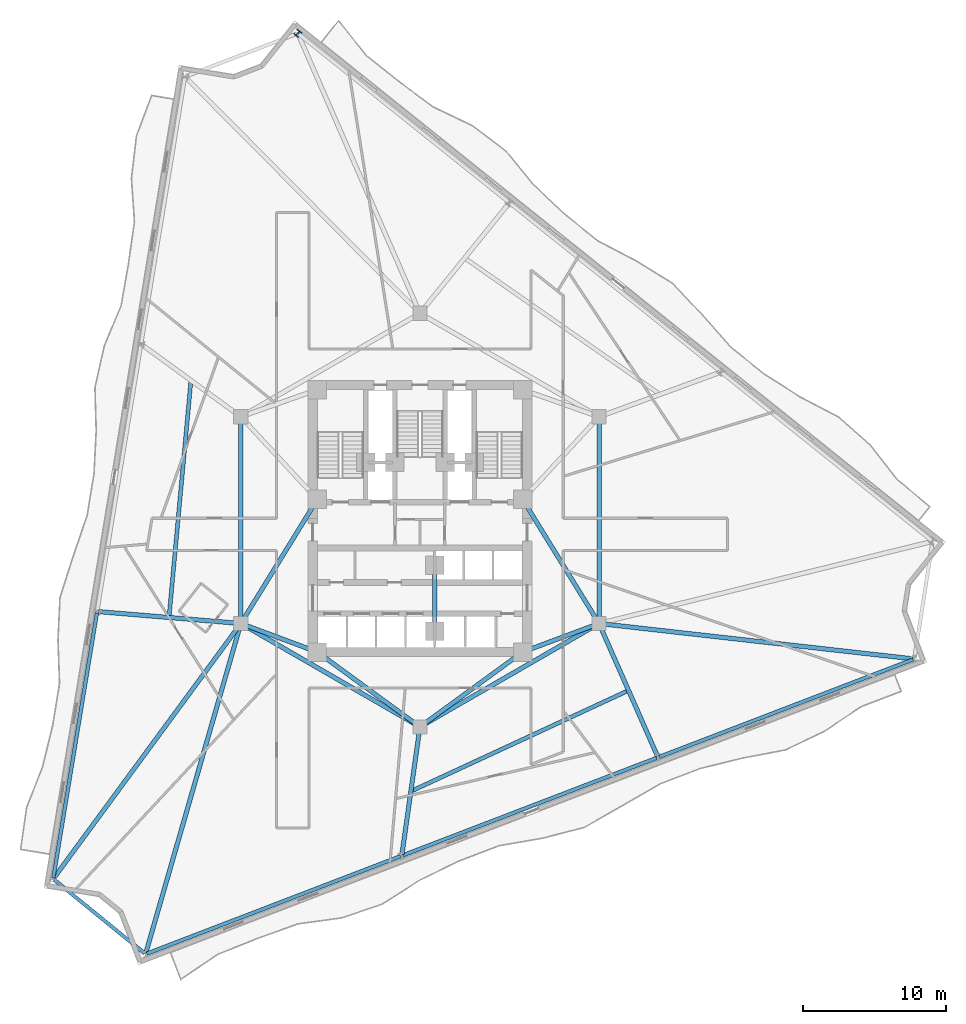
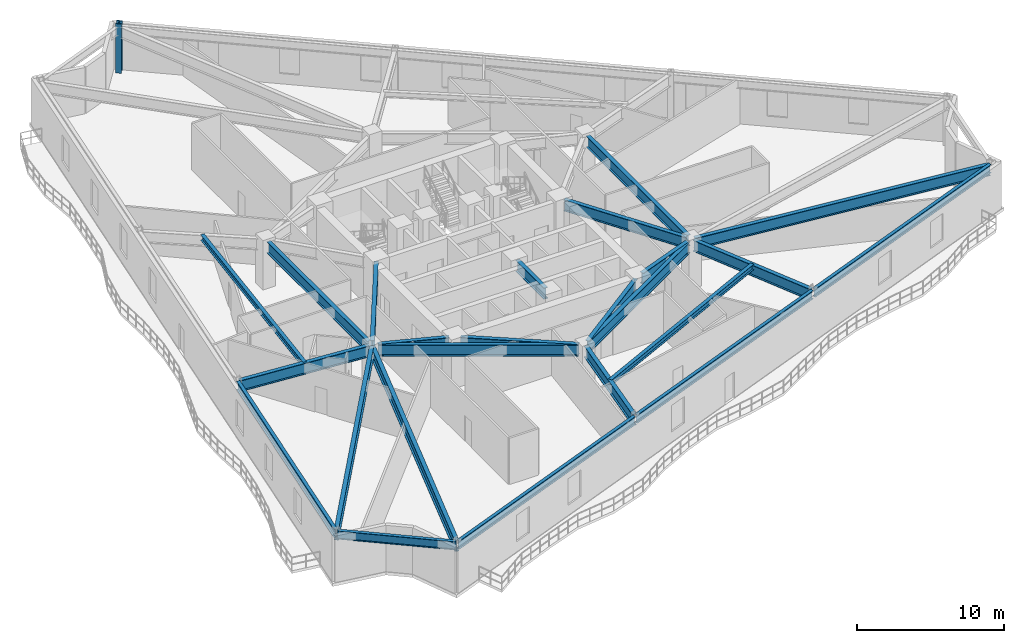
# One storey, part 2 of 11: 24 beams, 1 column.
"""IFC4 building model written with IfcOpenShell, lengths in metres."""

from ifc_helpers import new_model, si_unit, direction, frame, origin, origin_2d, place, context, subcontext, project, spatial, i_section, extrude, material, material_profile, profile_set, type_object, element, save


model = new_model("IFC4")

# Units and contexts
model_context = context("Model", 3, precision=1e-05, world=origin(), true_north=direction((0.0, 1.0)))
body_context = subcontext(model_context, "Body", "Model", "MODEL_VIEW")
ifc_project = project(units=[si_unit("LENGTHUNIT", "METRE"), si_unit("AREAUNIT", "SQUARE_METRE"), si_unit("VOLUMEUNIT", "CUBIC_METRE"), si_unit("PLANEANGLEUNIT", "RADIAN"), si_unit("MASSUNIT", "GRAM", prefix="KILO")], contexts=[model_context])

# Site, building, storey
site_placement = place(None, origin())
site = spatial("IfcSite", under=ifc_project, at=site_placement, CompositionType="ELEMENT")
building_placement = place(site_placement, origin())
building = spatial("IfcBuilding", under=site, at=building_placement, Name="Apsidion Concourse Tower", CompositionType="ELEMENT")
storey_placement = place(building_placement, frame((0.0, 0.0, 140.39990234375)))
storey = spatial("IfcBuildingStorey", under=building, at=storey_placement, Name="L32", CompositionType="ELEMENT", Elevation=140.39990234375)

# Column
ifc_material = material(Name="Structural steel ASTM A992 Grade 50", Category="steel")
ifc_material_profile_1 = material_profile(ifc_material, i_section(OverallWidth=0.410888671875, OverallDepth=0.43408203125, WebThickness=0.035888671875, FlangeThickness=0.057373046875, at=origin_2d()), Name="W14X311")
ifc_profile_set_1 = profile_set([ifc_material_profile_1], Name="Structural steel ASTM A992 Grade 50")
column_type = type_object("IfcColumnType", Name="COL-W14-311", PredefinedType="COLUMN", material=ifc_profile_set_1)
column_placement = place(storey_placement, frame((-8.565185546875, 34.1376953125, 0.0), z_axis=(0.0, 0.0, 1.0), x_axis=(-0.780757676633, 0.624833938242, 0.0)))
element("IfcColumn", 1, at=column_placement, inside=storey, type_object=column_type, Name="L32 Rotated Perimeter Column PC12", PredefinedType="COLUMN", context=body_context, shape_type="SweptSolid", body=[
    extrude(i_section(OverallWidth=0.410888671875, OverallDepth=0.43408203125, WebThickness=0.035888671875, FlangeThickness=0.057373046875, at=origin_2d()), origin(), (0.0, 0.0, 1.0), 4.10009765625),
])

# Beams
ifc_material_profile_2 = material_profile(ifc_material, i_section(OverallWidth=0.280029296875, OverallDepth=0.462890625, WebThickness=0.0107421875, FlangeThickness=0.017333984375, at=origin_2d()), Name="W18X76")
ifc_profile_set_2 = profile_set([ifc_material_profile_2], Name="Structural steel ASTM A992 Grade 50")
beam_type_1 = type_object("IfcBeamType", Name="BM-FL-W18M", PredefinedType="BEAM", material=ifc_profile_set_2)
beam_1_placement = place(storey_placement, frame((-16.05908203125, 9.798095703125, 3.61865234375), z_axis=(-0.092270423312, -0.995733985049, 0.0), x_axis=(0.995733985049, -0.092270423312, 0.0)))
element("IfcBeam", 2, at=beam_1_placement, inside=storey, type_object=beam_type_1, Name="L32 Secondary Floor Beam SEC-F1", PredefinedType="BEAM", context=body_context, shape_type="SweptSolid", body=[
    extrude(i_section(OverallWidth=0.280029296875, OverallDepth=0.462890625, WebThickness=0.0107421875, FlangeThickness=0.017333984375, at=origin_2d()), origin(), (0.0, 0.0, 1.0), 16.698486328125),
])
beam_2_placement = place(storey_placement, frame((-0.6376953125, -19.018310546875, 3.61865234375), z_axis=(0.907312361657, 0.420457225392, 0.0), x_axis=(-0.420457225392, 0.907312361657, 0.0)))
element("IfcBeam", 3, at=beam_2_placement, inside=storey, type_object=beam_type_1, Name="L32 Secondary Floor Beam SEC-F2", PredefinedType="BEAM", context=body_context, shape_type="SweptSolid", body=[
    extrude(i_section(OverallWidth=0.280029296875, OverallDepth=0.462890625, WebThickness=0.0107421875, FlangeThickness=0.017333984375, at=origin_2d()), origin(), (0.0, 0.0, 1.0), 16.82568359375),
])
ifc_material_profile_3 = material_profile(ifc_material, i_section(OverallWidth=0.31005859375, OverallDepth=0.931884765625, WebThickness=0.02099609375, FlangeThickness=0.034423828125, at=origin_2d()), Name="W36X210")
ifc_profile_set_3 = profile_set([ifc_material_profile_3], Name="Structural steel ASTM A992 Grade 50")
beam_type_2 = type_object("IfcBeamType", Name="BM-G-W36", PredefinedType="USERDEFINED", material=ifc_profile_set_3)
beam_3_placement = place(storey_placement, frame((-12.185302734375, -7.389892578125, 3.384033203125), z_axis=(0.936913021145, -0.349562570664, 0.0), x_axis=(0.349562570664, 0.936913021145, 0.0)))
element("IfcBeam", 4, at=beam_3_placement, inside=storey, type_object=beam_type_2, Name="L32 Core Coupling Girder IC1-SC1", ObjectType="GIRDER", PredefinedType="USERDEFINED", context=body_context, shape_type="SweptSolid", body=[
    extrude(i_section(OverallWidth=0.31005859375, OverallDepth=0.931884765625, WebThickness=0.02099609375, FlangeThickness=0.034423828125, at=origin_2d()), origin(), (0.0, 0.0, 1.0), 4.921142578125),
])
beam_4_placement = place(storey_placement, frame((-12.35009765625, -6.909423828125, 3.384033203125), z_axis=(0.524524009763, 0.851395656074, 0.0), x_axis=(-0.851395656074, 0.524524009763, 0.0)))
element("IfcBeam", 5, at=beam_4_placement, inside=storey, type_object=beam_type_2, Name="L32 Core Coupling Girder IC1-SC6", ObjectType="GIRDER", PredefinedType="USERDEFINED", context=body_context, shape_type="SweptSolid", body=[
    extrude(i_section(OverallWidth=0.31005859375, OverallDepth=0.931884765625, WebThickness=0.02099609375, FlangeThickness=0.034423828125, at=origin_2d()), origin(), (0.0, 0.0, 1.0), 9.41845703125),
])
beam_5_placement = place(storey_placement, frame((12.185302734375, -7.389892578125, 3.384033203125), z_axis=(-0.936913021145, -0.349562570664, 0.0), x_axis=(0.349562570664, -0.936913021145, 0.0)))
element("IfcBeam", 6, at=beam_5_placement, inside=storey, type_object=beam_type_2, Name="L32 Core Coupling Girder IC2-SC2", ObjectType="GIRDER", PredefinedType="USERDEFINED", context=body_context, shape_type="SweptSolid", body=[
    extrude(i_section(OverallWidth=0.31005859375, OverallDepth=0.931884765625, WebThickness=0.02099609375, FlangeThickness=0.034423828125, at=origin_2d()), origin(), (0.0, 0.0, 1.0), 4.921142578125),
])
beam_6_placement = place(storey_placement, frame((12.35009765625, -6.909423828125, 3.384033203125), z_axis=(-0.524524009763, 0.851395656074, 0.0), x_axis=(-0.851395656074, -0.524524009763, 0.0)))
element("IfcBeam", 7, at=beam_6_placement, inside=storey, type_object=beam_type_2, Name="L32 Core Coupling Girder IC2-SC3", ObjectType="GIRDER", PredefinedType="USERDEFINED", context=body_context, shape_type="SweptSolid", body=[
    extrude(i_section(OverallWidth=0.31005859375, OverallDepth=0.931884765625, WebThickness=0.02099609375, FlangeThickness=0.034423828125, at=origin_2d()), origin(), (0.0, 0.0, 1.0), 9.41845703125),
])
for number, where, z_axis, x_axis, name in (
    (8, (-0.3232421875, -14.264404296875, 3.384033203125), (-0.807993498909, 0.589191399905, 0.0), (-0.589191399905, -0.807993498909, 0.0), "L32 Core Coupling Girder IC6-SC1"),
    (9, (0.3232421875, -14.264404296875, 3.384033203125), (0.807993498909, 0.589191399905, 0.0), (-0.589191399905, 0.807993498909, 0.0), "L32 Core Coupling Girder IC6-SC2"),
):
    element("IfcBeam", number, at=place(storey_placement, frame(where, z_axis=z_axis, x_axis=x_axis)), inside=storey, type_object=beam_type_2, Name=name, ObjectType="GIRDER", PredefinedType="USERDEFINED", context=body_context, shape_type="SweptSolid", body=[
        extrude(i_section(OverallWidth=0.31005859375, OverallDepth=0.931884765625, WebThickness=0.02099609375, FlangeThickness=0.034423828125, at=origin_2d()), origin(), (0.0, 0.0, 1.0), 8.11083984375),
    ])
for number, where, z_axis, x_axis, name in (
    (10, (-12.56005859375, -6.85009765625, 3.384033203125), (0.0, 1.0, 0.0), (-1.0, 0.0, 0.0), "L32 Core Coupling Girder IC1-IC5"),
    (11, (12.56005859375, 6.85009765625, 3.384033203125), (0.0, -1.0, 0.0), (1.0, 0.0, 0.0), "L32 Core Coupling Girder IC3-IC2"),
):
    element("IfcBeam", number, at=place(storey_placement, frame(where, z_axis=z_axis, x_axis=x_axis)), inside=storey, type_object=beam_type_2, Name=name, ObjectType="GIRDER", PredefinedType="USERDEFINED", context=body_context, shape_type="SweptSolid", body=[
        extrude(i_section(OverallWidth=0.31005859375, OverallDepth=0.931884765625, WebThickness=0.02099609375, FlangeThickness=0.034423828125, at=origin_2d()), origin(), (0.0, 0.0, 1.0), 13.7001953125),
    ])
for number, where, z_axis, x_axis, name in (
    (12, (12.213623046875, -7.449951171875, 3.384033203125), (-0.866070471464, -0.499921932364, 0.0), (0.499921932364, -0.866070471464, 0.0), "L32 Core Coupling Girder IC2-IC6"),
    (13, (-0.346435546875, -14.300048828125, 3.384033203125), (-0.866070471464, 0.499921932364, 0.0), (-0.499921932364, -0.866070471464, 0.0), "L32 Core Coupling Girder IC6-IC1"),
):
    element("IfcBeam", number, at=place(storey_placement, frame(where, z_axis=z_axis, x_axis=x_axis)), inside=storey, type_object=beam_type_2, Name=name, ObjectType="GIRDER", PredefinedType="USERDEFINED", context=body_context, shape_type="SweptSolid", body=[
        extrude(i_section(OverallWidth=0.31005859375, OverallDepth=0.931884765625, WebThickness=0.02099609375, FlangeThickness=0.034423828125, at=origin_2d()), origin(), (0.0, 0.0, 1.0), 13.702392578125),
    ])
beam_7_placement = place(storey_placement, frame((1.02490234375, -3.550048828125, 3.384033203125), z_axis=(0.0, -1.0, 0.0), x_axis=(1.0, 0.0, 0.0)))
element("IfcBeam", 14, at=beam_7_placement, inside=storey, type_object=beam_type_2, Name="L32 Core Coupling Girder CC5-CC6", ObjectType="GIRDER", PredefinedType="USERDEFINED", context=body_context, shape_type="SweptSolid", body=[
    extrude(i_section(OverallWidth=0.31005859375, OverallDepth=0.931884765625, WebThickness=0.02099609375, FlangeThickness=0.034423828125, at=origin_2d()), origin(), (0.0, 0.0, 1.0), 3.849853515625),
])
beam_8_placement = place(storey_placement, frame((-12.779296875, -7.231689453125, 3.384033203125), z_axis=(-0.996528374011, 0.083253827489, 0.0), x_axis=(-0.083253827489, -0.996528374011, 0.0)))
element("IfcBeam", 15, at=beam_8_placement, inside=storey, type_object=beam_type_2, Name="L32 Radial Floor Girder RAD-03", ObjectType="GIRDER", PredefinedType="USERDEFINED", context=body_context, shape_type="SweptSolid", body=[
    extrude(i_section(OverallWidth=0.31005859375, OverallDepth=0.931884765625, WebThickness=0.02099609375, FlangeThickness=0.034423828125, at=origin_2d()), origin(), (0.0, 0.0, 1.0), 9.79443359375),
])
beam_9_placement = place(storey_placement, frame((-12.690185546875, -7.42724609375, 3.384033203125), z_axis=(-0.592104054542, -0.80586151949, 0.0), x_axis=(0.80586151949, -0.592104054542, 0.0)))
element("IfcBeam", 16, at=beam_9_placement, inside=storey, type_object=beam_type_2, Name="L32 Radial Floor Girder RAD-04", ObjectType="GIRDER", PredefinedType="USERDEFINED", context=body_context, shape_type="SweptSolid", body=[
    extrude(i_section(OverallWidth=0.31005859375, OverallDepth=0.931884765625, WebThickness=0.02099609375, FlangeThickness=0.034423828125, at=origin_2d()), origin(), (0.0, 0.0, 1.0), 21.907470703125),
])
beam_10_placement = place(storey_placement, frame((-12.62109375, -7.46142578125, 3.384033203125), z_axis=(-0.277124061606, -0.960834145146, 0.0), x_axis=(0.960834145146, -0.277124061606, 0.0)))
element("IfcBeam", 17, at=beam_10_placement, inside=storey, type_object=beam_type_2, Name="L32 Radial Floor Girder RAD-05", ObjectType="GIRDER", PredefinedType="USERDEFINED", context=body_context, shape_type="SweptSolid", body=[
    extrude(i_section(OverallWidth=0.31005859375, OverallDepth=0.931884765625, WebThickness=0.02099609375, FlangeThickness=0.034423828125, at=origin_2d()), origin(), (0.0, 0.0, 1.0), 23.810302734375),
])
beam_11_placement = place(storey_placement, frame((-0.03076171875, -14.7177734375, 3.384033203125), z_axis=(-0.139728877642, -0.990189800368, 0.0), x_axis=(0.990189800368, -0.139728877642, 0.0)))
element("IfcBeam", 18, at=beam_11_placement, inside=storey, type_object=beam_type_2, Name="L32 Radial Floor Girder RAD-06", ObjectType="GIRDER", PredefinedType="USERDEFINED", context=body_context, shape_type="SweptSolid", body=[
    extrude(i_section(OverallWidth=0.31005859375, OverallDepth=0.931884765625, WebThickness=0.02099609375, FlangeThickness=0.034423828125, at=origin_2d()), origin(), (0.0, 0.0, 1.0), 8.80615234375),
])
beam_12_placement = place(storey_placement, frame((12.648681640625, -7.451416015625, 3.384033203125), z_axis=(0.403246465544, -0.915091409656, 0.0), x_axis=(0.915091409656, 0.403246465544, 0.0)))
element("IfcBeam", 19, at=beam_12_placement, inside=storey, type_object=beam_type_2, Name="L32 Radial Floor Girder RAD-07", ObjectType="GIRDER", PredefinedType="USERDEFINED", context=body_context, shape_type="SweptSolid", body=[
    extrude(i_section(OverallWidth=0.31005859375, OverallDepth=0.931884765625, WebThickness=0.02099609375, FlangeThickness=0.034423828125, at=origin_2d()), origin(), (0.0, 0.0, 1.0), 9.93896484375),
])
beam_13_placement = place(storey_placement, frame((12.778564453125, -7.274658203125, 3.384033203125), z_axis=(0.993722887176, -0.111869671955, 0.0), x_axis=(0.111869671955, 0.993722887176, 0.0)))
element("IfcBeam", 20, at=beam_13_placement, inside=storey, type_object=beam_type_2, Name="L32 Radial Floor Girder RAD-08", ObjectType="GIRDER", PredefinedType="USERDEFINED", context=body_context, shape_type="SweptSolid", body=[
    extrude(i_section(OverallWidth=0.31005859375, OverallDepth=0.931884765625, WebThickness=0.02099609375, FlangeThickness=0.034423828125, at=origin_2d()), origin(), (0.0, 0.0, 1.0), 21.928466796875),
])
ifc_material_profile_4 = material_profile(ifc_material, i_section(OverallWidth=0.256103515625, OverallDepth=0.693115234375, WebThickness=0.014404296875, FlangeThickness=0.023681640625, at=origin_2d()), Name="W27X114")
ifc_profile_set_4 = profile_set([ifc_material_profile_4], Name="Structural steel ASTM A992 Grade 50")
beam_type_3 = type_object("IfcBeamType", Name="BM-SP-W27", PredefinedType="SPANDREL", material=ifc_profile_set_4)
beam_14_placement = place(storey_placement, frame((-22.65576171875, -6.506591796875, 3.503662109375), z_axis=(-0.162122790078, -0.986770591849, 0.0), x_axis=(0.986770591849, -0.162122790078, 0.0)))
element("IfcBeam", 21, at=beam_14_placement, inside=storey, type_object=beam_type_3, Name="L32 Perimeter Spandrel Girder SP-03", PredefinedType="SPANDREL", context=body_context, shape_type="SweptSolid", body=[
    extrude(i_section(OverallWidth=0.256103515625, OverallDepth=0.693115234375, WebThickness=0.014404296875, FlangeThickness=0.023681640625, at=origin_2d()), origin(), (0.0, 0.0, 1.0), 18.8056640625),
])
beam_15_placement = place(storey_placement, frame((-25.643310546875, -25.225341796875, 3.503662109375), z_axis=(0.775340926365, -0.631542910579, 0.0), x_axis=(0.631542910579, 0.775340926365, 0.0)))
element("IfcBeam", 22, at=beam_15_placement, inside=storey, type_object=beam_type_3, Name="L32 Perimeter Spandrel Girder SP-04", PredefinedType="SPANDREL", context=body_context, shape_type="SweptSolid", body=[
    extrude(i_section(OverallWidth=0.256103515625, OverallDepth=0.693115234375, WebThickness=0.014404296875, FlangeThickness=0.023681640625, at=origin_2d()), origin(), (0.0, 0.0, 1.0), 8.1494140625),
])
for number, where, z_axis, x_axis, name in (
    (23, (-19.15380859375, -30.3994140625, 3.503662109375), (0.933579256938, 0.358370996335, 0.0), (-0.358370996335, 0.933579256938, 0.0), "L32 Perimeter Spandrel Girder SP-05"),
    (24, (-1.181884765625, -23.500732421875, 3.503662109375), (0.933579256938, 0.358370996335, 0.0), (-0.358370996335, 0.933579256938, 0.0), "L32 Perimeter Spandrel Girder SP-06"),
    (25, (16.7900390625, -16.60205078125, 3.503662109375), (0.933579256938, 0.358370996335, 0.0), (-0.358370996335, 0.933579256938, 0.0), "L32 Perimeter Spandrel Girder SP-07"),
):
    element("IfcBeam", number, at=place(storey_placement, frame(where, z_axis=z_axis, x_axis=x_axis)), inside=storey, type_object=beam_type_3, Name=name, PredefinedType="SPANDREL", context=body_context, shape_type="SweptSolid", body=[
        extrude(i_section(OverallWidth=0.256103515625, OverallDepth=0.693115234375, WebThickness=0.014404296875, FlangeThickness=0.023681640625, at=origin_2d()), origin(), (0.0, 0.0, 1.0), 19.050537109375),
    ])

save(model, "model.ifc")
